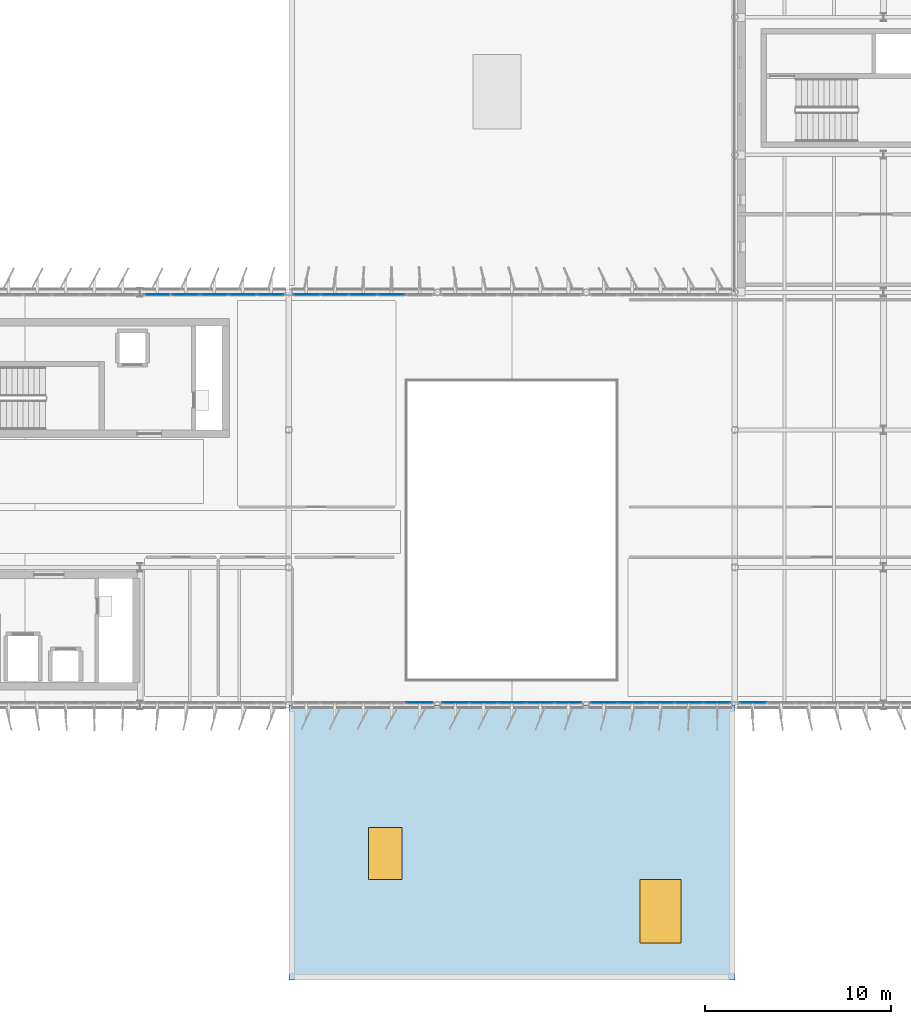
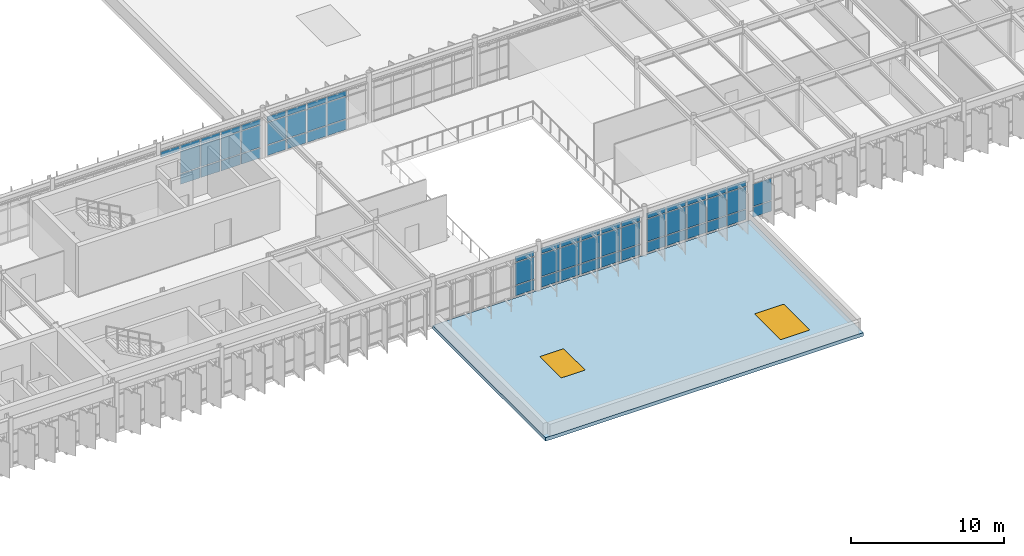
# One storey, part 31 of 56: 60 plates, 2 windows, 1 slab, 2 openings, 6 elements without a shape of their own.
"""IFC4 building model written with IfcOpenShell, lengths in metres."""

from ifc_helpers import new_model, si_unit, direction, frame, origin, origin_2d, place, context, subcontext, project, spatial, polyline, rectangle, outline, extrude, material, layer, layer_set, type_object, element, fill, aggregate, save


model = new_model("IFC4")

# Units and contexts
model_context = context("Model", 3, precision=1e-05, world=origin(), true_north=direction((0.0, 1.0)))
body_context = subcontext(model_context, "Body", "Model", "MODEL_VIEW")
ifc_project = project(units=[si_unit("LENGTHUNIT", "METRE"), si_unit("AREAUNIT", "SQUARE_METRE"), si_unit("VOLUMEUNIT", "CUBIC_METRE"), si_unit("PLANEANGLEUNIT", "RADIAN"), si_unit("MASSUNIT", "GRAM", prefix="KILO")], contexts=[model_context])

# Site, building, storey
site_placement = place(None, origin())
site = spatial("IfcSite", under=ifc_project, at=site_placement, CompositionType="ELEMENT")
building_placement = place(site_placement, origin())
building = spatial("IfcBuilding", under=site, at=building_placement, Name="Valkorina Park Police Headquarters", CompositionType="ELEMENT")
storey_placement = place(building_placement, frame((0.0, 0.0, 14.10009765625)))
storey = spatial("IfcBuildingStorey", under=building, at=storey_placement, Name="L04", CompositionType="ELEMENT", Elevation=14.10009765625)

# Curtain wall, plates
ifc_material_1 = material(Name="Thermally broken aluminium AW-6060", Category="aluminium")
ifc_layer_1 = layer(ifc_material_1, 0.18994140625)
ifc_layer_set_1 = layer_set([ifc_layer_1], Name="Thermally broken aluminium AW-6060")
curtain_wall_type_1 = type_object("IfcCurtainWallType", Name="CW-V5-7650x3260", PredefinedType="NOTDEFINED", material=ifc_layer_set_1)
curtain_wall_1_placement = place(storey_placement, origin())
curtain_wall_1 = element("IfcCurtainWall", 1, at=curtain_wall_1_placement, inside=storey, type_object=curtain_wall_type_1, Name="L04 Unitised Curtain Wall 036", PredefinedType="NOTDEFINED")
ifc_layer_2 = layer(ifc_material_1, 0.050048828125)
ifc_layer_set_2 = layer_set([ifc_layer_2], Name="Thermally broken aluminium AW-6060")
plate_type_1 = type_object("IfcPlateType", Name="PL-CWP-SPANDREL-50", PredefinedType="CURTAIN_PANEL", material=ifc_layer_set_2)
plate_1_placement = place(storey_placement, frame((51.255615234375, 59.080078125, 0.06982421875), z_axis=(0.0, 0.0, 1.0), x_axis=(1.0, 0.0, 0.0)))
plate_1 = element("IfcPlate", 2, at=plate_1_placement, type_object=plate_type_1, Name="CW-V5-765-326 panel 2.1", PredefinedType="CURTAIN_PANEL", context=body_context, shape_type="SweptSolid", body=[
    extrude(rectangle(XDim=1.46044921875, YDim=0.028076171875, at=origin_2d()), origin(), (0.0, 0.0, 1.0), 0.794921875),
])
plate_2_placement = place(storey_placement, frame((52.7861328125, 59.080078125, 0.06982421875), z_axis=(0.0, 0.0, 1.0), x_axis=(1.0, 0.0, 0.0)))
plate_2 = element("IfcPlate", 3, at=plate_2_placement, type_object=plate_type_1, Name="CW-V5-765-326 panel 3.1", PredefinedType="CURTAIN_PANEL", context=body_context, shape_type="SweptSolid", body=[
    extrude(rectangle(XDim=1.46044921875, YDim=0.028076171875, at=origin_2d()), origin(), (0.0, 0.0, 1.0), 0.794921875),
])
plate_3_placement = place(storey_placement, frame((54.316650390625, 59.080078125, 0.06982421875), z_axis=(0.0, 0.0, 1.0), x_axis=(1.0, 0.0, 0.0)))
plate_3 = element("IfcPlate", 4, at=plate_3_placement, type_object=plate_type_1, Name="CW-V5-765-326 panel 4.1", PredefinedType="CURTAIN_PANEL", context=body_context, shape_type="SweptSolid", body=[
    extrude(rectangle(XDim=1.46044921875, YDim=0.028076171875, at=origin_2d()), origin(), (0.0, 0.0, 1.0), 0.794921875),
])
plate_4_placement = place(storey_placement, frame((55.82958984375, 59.080078125, 0.06982421875), z_axis=(0.0, 0.0, 1.0), x_axis=(1.0, 0.0, 0.0)))
plate_4 = element("IfcPlate", 5, at=plate_4_placement, type_object=plate_type_1, Name="CW-V5-765-326 panel 5.1", PredefinedType="CURTAIN_PANEL", context=body_context, shape_type="SweptSolid", body=[
    extrude(rectangle(XDim=1.425537109375, YDim=0.028076171875, at=origin_2d()), origin(), (0.0, 0.0, 1.0), 0.794921875),
])

ifc_layer_3 = layer(ifc_material_1, 0.18994140625)
ifc_layer_set_3 = layer_set([ifc_layer_3], Name="Thermally broken aluminium AW-6060")
curtain_wall_type_2 = type_object("IfcCurtainWallType", Name="CW-V5-7620x3260", PredefinedType="NOTDEFINED", material=ifc_layer_set_3)
curtain_wall_2_placement = place(storey_placement, origin())
curtain_wall_2 = element("IfcCurtainWall", 6, at=curtain_wall_2_placement, inside=storey, type_object=curtain_wall_type_2, Name="L04 Unitised Curtain Wall 037", PredefinedType="NOTDEFINED")
plate_5_placement = place(storey_placement, frame((57.767822265625, 59.080078125, 0.06982421875), z_axis=(0.0, 0.0, 1.0), x_axis=(1.0, 0.0, 0.0)))
plate_5 = element("IfcPlate", 7, at=plate_5_placement, type_object=plate_type_1, Name="CW-V5-762-326 panel 1.1", PredefinedType="CURTAIN_PANEL", context=body_context, shape_type="SweptSolid", body=[
    extrude(rectangle(XDim=1.419921875, YDim=0.028076171875, at=origin_2d()), origin(), (0.0, 0.0, 1.0), 0.794921875),
])
plate_6_placement = place(storey_placement, frame((59.275146484375, 59.080078125, 0.06982421875), z_axis=(0.0, 0.0, 1.0), x_axis=(1.0, 0.0, 0.0)))
plate_6 = element("IfcPlate", 8, at=plate_6_placement, type_object=plate_type_1, Name="CW-V5-762-326 panel 2.1", PredefinedType="CURTAIN_PANEL", context=body_context, shape_type="SweptSolid", body=[
    extrude(rectangle(XDim=1.454833984375, YDim=0.028076171875, at=origin_2d()), origin(), (0.0, 0.0, 1.0), 0.794921875),
])
plate_7_placement = place(storey_placement, frame((60.800048828125, 59.080078125, 0.06982421875), z_axis=(0.0, 0.0, 1.0), x_axis=(1.0, 0.0, 0.0)))
plate_7 = element("IfcPlate", 9, at=plate_7_placement, type_object=plate_type_1, Name="CW-V5-762-326 panel 3.1", PredefinedType="CURTAIN_PANEL", context=body_context, shape_type="SweptSolid", body=[
    extrude(rectangle(XDim=1.454833984375, YDim=0.028076171875, at=origin_2d()), origin(), (0.0, 0.0, 1.0), 0.794921875),
])
plate_8_placement = place(storey_placement, frame((62.324951171875, 59.080078125, 0.06982421875), z_axis=(0.0, 0.0, 1.0), x_axis=(1.0, 0.0, 0.0)))
plate_8 = element("IfcPlate", 10, at=plate_8_placement, type_object=plate_type_1, Name="CW-V5-762-326 panel 4.1", PredefinedType="CURTAIN_PANEL", context=body_context, shape_type="SweptSolid", body=[
    extrude(rectangle(XDim=1.454833984375, YDim=0.028076171875, at=origin_2d()), origin(), (0.0, 0.0, 1.0), 0.794921875),
])

# Curtain wall, plate
curtain_wall_3_placement = place(storey_placement, origin())
curtain_wall_3 = element("IfcCurtainWall", 11, at=curtain_wall_3_placement, inside=storey, type_object=curtain_wall_type_1, Name="L04 Unitised Curtain Wall 047", PredefinedType="NOTDEFINED")
plate_9_placement = place(storey_placement, frame((81.7705078125, 37.1201171875, 0.06982421875), z_axis=(0.0, 0.0, 1.0), x_axis=(-1.0, 0.0, 0.0)))
plate_9 = element("IfcPlate", 12, at=plate_9_placement, type_object=plate_type_1, Name="CW-V5-765-326 panel 5.1", PredefinedType="CURTAIN_PANEL", context=body_context, shape_type="SweptSolid", body=[
    extrude(rectangle(XDim=1.425537109375, YDim=0.028076171875, at=origin_2d()), origin(), (0.0, 0.0, 1.0), 0.794921875),
])

# Curtain wall, plates
curtain_wall_4_placement = place(storey_placement, origin())
curtain_wall_4 = element("IfcCurtainWall", 13, at=curtain_wall_4_placement, inside=storey, type_object=curtain_wall_type_2, Name="L04 Unitised Curtain Wall 048", PredefinedType="NOTDEFINED")
plate_10_placement = place(storey_placement, frame((79.832275390625, 37.1201171875, 0.06982421875), z_axis=(0.0, 0.0, 1.0), x_axis=(-1.0, 0.0, 0.0)))
plate_10 = element("IfcPlate", 14, at=plate_10_placement, type_object=plate_type_1, Name="CW-V5-762-326 panel 1.1", PredefinedType="CURTAIN_PANEL", context=body_context, shape_type="SweptSolid", body=[
    extrude(rectangle(XDim=1.419921875, YDim=0.028076171875, at=origin_2d()), origin(), (0.0, 0.0, 1.0), 0.794921875),
])
plate_11_placement = place(storey_placement, frame((78.324951171875, 37.1201171875, 0.06982421875), z_axis=(0.0, 0.0, 1.0), x_axis=(-1.0, 0.0, 0.0)))
plate_11 = element("IfcPlate", 15, at=plate_11_placement, type_object=plate_type_1, Name="CW-V5-762-326 panel 2.1", PredefinedType="CURTAIN_PANEL", context=body_context, shape_type="SweptSolid", body=[
    extrude(rectangle(XDim=1.454833984375, YDim=0.028076171875, at=origin_2d()), origin(), (0.0, 0.0, 1.0), 0.794921875),
])
plate_12_placement = place(storey_placement, frame((76.800048828125, 37.1201171875, 0.06982421875), z_axis=(0.0, 0.0, 1.0), x_axis=(-1.0, 0.0, 0.0)))
plate_12 = element("IfcPlate", 16, at=plate_12_placement, type_object=plate_type_1, Name="CW-V5-762-326 panel 3.1", PredefinedType="CURTAIN_PANEL", context=body_context, shape_type="SweptSolid", body=[
    extrude(rectangle(XDim=1.454833984375, YDim=0.028076171875, at=origin_2d()), origin(), (0.0, 0.0, 1.0), 0.794921875),
])
plate_13_placement = place(storey_placement, frame((75.275146484375, 37.1201171875, 0.06982421875), z_axis=(0.0, 0.0, 1.0), x_axis=(-1.0, 0.0, 0.0)))
plate_13 = element("IfcPlate", 17, at=plate_13_placement, type_object=plate_type_1, Name="CW-V5-762-326 panel 4.1", PredefinedType="CURTAIN_PANEL", context=body_context, shape_type="SweptSolid", body=[
    extrude(rectangle(XDim=1.454833984375, YDim=0.028076171875, at=origin_2d()), origin(), (0.0, 0.0, 1.0), 0.794921875),
])
plate_14_placement = place(storey_placement, frame((73.767822265625, 37.1201171875, 0.06982421875), z_axis=(0.0, 0.0, 1.0), x_axis=(-1.0, 0.0, 0.0)))
plate_14 = element("IfcPlate", 18, at=plate_14_placement, type_object=plate_type_1, Name="CW-V5-762-326 panel 5.1", PredefinedType="CURTAIN_PANEL", context=body_context, shape_type="SweptSolid", body=[
    extrude(rectangle(XDim=1.419921875, YDim=0.028076171875, at=origin_2d()), origin(), (0.0, 0.0, 1.0), 0.794921875),
])

curtain_wall_5_placement = place(storey_placement, origin())
curtain_wall_5 = element("IfcCurtainWall", 19, at=curtain_wall_5_placement, inside=storey, type_object=curtain_wall_type_2, Name="L04 Unitised Curtain Wall 049", PredefinedType="NOTDEFINED")
plate_15_placement = place(storey_placement, frame((71.832275390625, 37.1201171875, 0.06982421875), z_axis=(0.0, 0.0, 1.0), x_axis=(-1.0, 0.0, 0.0)))
plate_15 = element("IfcPlate", 20, at=plate_15_placement, type_object=plate_type_1, Name="CW-V5-762-326 panel 1.1", PredefinedType="CURTAIN_PANEL", context=body_context, shape_type="SweptSolid", body=[
    extrude(rectangle(XDim=1.419921875, YDim=0.028076171875, at=origin_2d()), origin(), (0.0, 0.0, 1.0), 0.794921875),
])
plate_16_placement = place(storey_placement, frame((70.324951171875, 37.1201171875, 0.06982421875), z_axis=(0.0, 0.0, 1.0), x_axis=(-1.0, 0.0, 0.0)))
plate_16 = element("IfcPlate", 21, at=plate_16_placement, type_object=plate_type_1, Name="CW-V5-762-326 panel 2.1", PredefinedType="CURTAIN_PANEL", context=body_context, shape_type="SweptSolid", body=[
    extrude(rectangle(XDim=1.454833984375, YDim=0.028076171875, at=origin_2d()), origin(), (0.0, 0.0, 1.0), 0.794921875),
])
plate_17_placement = place(storey_placement, frame((68.800048828125, 37.1201171875, 0.06982421875), z_axis=(0.0, 0.0, 1.0), x_axis=(-1.0, 0.0, 0.0)))
plate_17 = element("IfcPlate", 22, at=plate_17_placement, type_object=plate_type_1, Name="CW-V5-762-326 panel 3.1", PredefinedType="CURTAIN_PANEL", context=body_context, shape_type="SweptSolid", body=[
    extrude(rectangle(XDim=1.454833984375, YDim=0.028076171875, at=origin_2d()), origin(), (0.0, 0.0, 1.0), 0.794921875),
])
plate_18_placement = place(storey_placement, frame((67.275146484375, 37.1201171875, 0.06982421875), z_axis=(0.0, 0.0, 1.0), x_axis=(-1.0, 0.0, 0.0)))
plate_18 = element("IfcPlate", 23, at=plate_18_placement, type_object=plate_type_1, Name="CW-V5-762-326 panel 4.1", PredefinedType="CURTAIN_PANEL", context=body_context, shape_type="SweptSolid", body=[
    extrude(rectangle(XDim=1.454833984375, YDim=0.028076171875, at=origin_2d()), origin(), (0.0, 0.0, 1.0), 0.794921875),
])
plate_19_placement = place(storey_placement, frame((65.767822265625, 37.1201171875, 0.06982421875), z_axis=(0.0, 0.0, 1.0), x_axis=(-1.0, 0.0, 0.0)))
plate_19 = element("IfcPlate", 24, at=plate_19_placement, type_object=plate_type_1, Name="CW-V5-762-326 panel 5.1", PredefinedType="CURTAIN_PANEL", context=body_context, shape_type="SweptSolid", body=[
    extrude(rectangle(XDim=1.419921875, YDim=0.028076171875, at=origin_2d()), origin(), (0.0, 0.0, 1.0), 0.794921875),
])

# Curtain wall, plate
curtain_wall_6_placement = place(storey_placement, origin())
curtain_wall_6 = element("IfcCurtainWall", 25, at=curtain_wall_6_placement, inside=storey, type_object=curtain_wall_type_2, Name="L04 Unitised Curtain Wall 050", PredefinedType="NOTDEFINED")
plate_20_placement = place(storey_placement, frame((63.832275390625, 37.1201171875, 0.06982421875), z_axis=(0.0, 0.0, 1.0), x_axis=(-1.0, 0.0, 0.0)))
plate_20 = element("IfcPlate", 26, at=plate_20_placement, type_object=plate_type_1, Name="CW-V5-762-326 panel 1.1", PredefinedType="CURTAIN_PANEL", context=body_context, shape_type="SweptSolid", body=[
    extrude(rectangle(XDim=1.419921875, YDim=0.028076171875, at=origin_2d()), origin(), (0.0, 0.0, 1.0), 0.794921875),
])

# Plate
ifc_material_2 = material(Name="Triple low-E insulated glazing", Category="glass")
ifc_layer_4 = layer(ifc_material_2, 0.028076171875)
ifc_layer_set_4 = layer_set([ifc_layer_4], Name="Triple low-E insulated glazing")
plate_type_2 = type_object("IfcPlateType", Name="PL-CWP-VISION-28", PredefinedType="CURTAIN_PANEL", material=ifc_layer_set_4)
plate_21_placement = place(storey_placement, frame((49.74267578125, 59.080078125, 2.769775390625), z_axis=(0.0, 0.0, 1.0), x_axis=(1.0, 0.0, 0.0)))
plate_21 = element("IfcPlate", 27, at=plate_21_placement, type_object=plate_type_2, Name="CW-V5-765-326 panel 1.3", PredefinedType="CURTAIN_PANEL", context=body_context, shape_type="SweptSolid", body=[
    extrude(rectangle(XDim=1.425537109375, YDim=0.028076171875, at=origin_2d()), origin(), (0.0, 0.0, 1.0), 0.4150390625),
])

plate_22_placement = place(storey_placement, frame((51.255615234375, 59.080078125, 0.93505859375), z_axis=(0.0, 0.0, 1.0), x_axis=(1.0, 0.0, 0.0)))
plate_22 = element("IfcPlate", 28, at=plate_22_placement, type_object=plate_type_2, Name="CW-V5-765-326 panel 2.2", PredefinedType="CURTAIN_PANEL", context=body_context, shape_type="SweptSolid", body=[
    extrude(rectangle(XDim=1.46044921875, YDim=0.028076171875, at=origin_2d()), origin(), (0.0, 0.0, 1.0), 1.764892578125),
])

plate_23_placement = place(storey_placement, frame((51.255615234375, 59.080078125, 2.769775390625), z_axis=(0.0, 0.0, 1.0), x_axis=(1.0, 0.0, 0.0)))
plate_23 = element("IfcPlate", 29, at=plate_23_placement, type_object=plate_type_2, Name="CW-V5-765-326 panel 2.3", PredefinedType="CURTAIN_PANEL", context=body_context, shape_type="SweptSolid", body=[
    extrude(rectangle(XDim=1.46044921875, YDim=0.028076171875, at=origin_2d()), origin(), (0.0, 0.0, 1.0), 0.4150390625),
])

plate_24_placement = place(storey_placement, frame((52.7861328125, 59.080078125, 0.93505859375), z_axis=(0.0, 0.0, 1.0), x_axis=(1.0, 0.0, 0.0)))
plate_24 = element("IfcPlate", 30, at=plate_24_placement, type_object=plate_type_2, Name="CW-V5-765-326 panel 3.2", PredefinedType="CURTAIN_PANEL", context=body_context, shape_type="SweptSolid", body=[
    extrude(rectangle(XDim=1.46044921875, YDim=0.028076171875, at=origin_2d()), origin(), (0.0, 0.0, 1.0), 1.764892578125),
])

plate_25_placement = place(storey_placement, frame((52.7861328125, 59.080078125, 2.769775390625), z_axis=(0.0, 0.0, 1.0), x_axis=(1.0, 0.0, 0.0)))
plate_25 = element("IfcPlate", 31, at=plate_25_placement, type_object=plate_type_2, Name="CW-V5-765-326 panel 3.3", PredefinedType="CURTAIN_PANEL", context=body_context, shape_type="SweptSolid", body=[
    extrude(rectangle(XDim=1.46044921875, YDim=0.028076171875, at=origin_2d()), origin(), (0.0, 0.0, 1.0), 0.4150390625),
])

plate_26_placement = place(storey_placement, frame((54.316650390625, 59.080078125, 0.93505859375), z_axis=(0.0, 0.0, 1.0), x_axis=(1.0, 0.0, 0.0)))
plate_26 = element("IfcPlate", 32, at=plate_26_placement, type_object=plate_type_2, Name="CW-V5-765-326 panel 4.2", PredefinedType="CURTAIN_PANEL", context=body_context, shape_type="SweptSolid", body=[
    extrude(rectangle(XDim=1.46044921875, YDim=0.028076171875, at=origin_2d()), origin(), (0.0, 0.0, 1.0), 1.764892578125),
])

plate_27_placement = place(storey_placement, frame((54.316650390625, 59.080078125, 2.769775390625), z_axis=(0.0, 0.0, 1.0), x_axis=(1.0, 0.0, 0.0)))
plate_27 = element("IfcPlate", 33, at=plate_27_placement, type_object=plate_type_2, Name="CW-V5-765-326 panel 4.3", PredefinedType="CURTAIN_PANEL", context=body_context, shape_type="SweptSolid", body=[
    extrude(rectangle(XDim=1.46044921875, YDim=0.028076171875, at=origin_2d()), origin(), (0.0, 0.0, 1.0), 0.4150390625),
])

plate_28_placement = place(storey_placement, frame((55.82958984375, 59.080078125, 0.93505859375), z_axis=(0.0, 0.0, 1.0), x_axis=(1.0, 0.0, 0.0)))
plate_28 = element("IfcPlate", 34, at=plate_28_placement, type_object=plate_type_2, Name="CW-V5-765-326 panel 5.2", PredefinedType="CURTAIN_PANEL", context=body_context, shape_type="SweptSolid", body=[
    extrude(rectangle(XDim=1.425537109375, YDim=0.028076171875, at=origin_2d()), origin(), (0.0, 0.0, 1.0), 1.764892578125),
])

plate_29_placement = place(storey_placement, frame((55.82958984375, 59.080078125, 2.769775390625), z_axis=(0.0, 0.0, 1.0), x_axis=(1.0, 0.0, 0.0)))
plate_29 = element("IfcPlate", 35, at=plate_29_placement, type_object=plate_type_2, Name="CW-V5-765-326 panel 5.3", PredefinedType="CURTAIN_PANEL", context=body_context, shape_type="SweptSolid", body=[
    extrude(rectangle(XDim=1.425537109375, YDim=0.028076171875, at=origin_2d()), origin(), (0.0, 0.0, 1.0), 0.4150390625),
])

aggregate(curtain_wall_1, [plate_21, plate_1, plate_22, plate_23, plate_2, plate_24, plate_25, plate_3, plate_26, plate_27, plate_4, plate_28, plate_29])

plate_30_placement = place(storey_placement, frame((57.767822265625, 59.080078125, 0.93505859375), z_axis=(0.0, 0.0, 1.0), x_axis=(1.0, 0.0, 0.0)))
plate_30 = element("IfcPlate", 36, at=plate_30_placement, type_object=plate_type_2, Name="CW-V5-762-326 panel 1.2", PredefinedType="CURTAIN_PANEL", context=body_context, shape_type="SweptSolid", body=[
    extrude(rectangle(XDim=1.419921875, YDim=0.028076171875, at=origin_2d()), origin(), (0.0, 0.0, 1.0), 1.764892578125),
])

plate_31_placement = place(storey_placement, frame((57.767822265625, 59.080078125, 2.769775390625), z_axis=(0.0, 0.0, 1.0), x_axis=(1.0, 0.0, 0.0)))
plate_31 = element("IfcPlate", 37, at=plate_31_placement, type_object=plate_type_2, Name="CW-V5-762-326 panel 1.3", PredefinedType="CURTAIN_PANEL", context=body_context, shape_type="SweptSolid", body=[
    extrude(rectangle(XDim=1.419921875, YDim=0.028076171875, at=origin_2d()), origin(), (0.0, 0.0, 1.0), 0.4150390625),
])

plate_32_placement = place(storey_placement, frame((59.275146484375, 59.080078125, 0.93505859375), z_axis=(0.0, 0.0, 1.0), x_axis=(1.0, 0.0, 0.0)))
plate_32 = element("IfcPlate", 38, at=plate_32_placement, type_object=plate_type_2, Name="CW-V5-762-326 panel 2.2", PredefinedType="CURTAIN_PANEL", context=body_context, shape_type="SweptSolid", body=[
    extrude(rectangle(XDim=1.454833984375, YDim=0.028076171875, at=origin_2d()), origin(), (0.0, 0.0, 1.0), 1.764892578125),
])

plate_33_placement = place(storey_placement, frame((59.275146484375, 59.080078125, 2.769775390625), z_axis=(0.0, 0.0, 1.0), x_axis=(1.0, 0.0, 0.0)))
plate_33 = element("IfcPlate", 39, at=plate_33_placement, type_object=plate_type_2, Name="CW-V5-762-326 panel 2.3", PredefinedType="CURTAIN_PANEL", context=body_context, shape_type="SweptSolid", body=[
    extrude(rectangle(XDim=1.454833984375, YDim=0.028076171875, at=origin_2d()), origin(), (0.0, 0.0, 1.0), 0.4150390625),
])

plate_34_placement = place(storey_placement, frame((60.800048828125, 59.080078125, 0.93505859375), z_axis=(0.0, 0.0, 1.0), x_axis=(1.0, 0.0, 0.0)))
plate_34 = element("IfcPlate", 40, at=plate_34_placement, type_object=plate_type_2, Name="CW-V5-762-326 panel 3.2", PredefinedType="CURTAIN_PANEL", context=body_context, shape_type="SweptSolid", body=[
    extrude(rectangle(XDim=1.454833984375, YDim=0.028076171875, at=origin_2d()), origin(), (0.0, 0.0, 1.0), 1.764892578125),
])

plate_35_placement = place(storey_placement, frame((60.800048828125, 59.080078125, 2.769775390625), z_axis=(0.0, 0.0, 1.0), x_axis=(1.0, 0.0, 0.0)))
plate_35 = element("IfcPlate", 41, at=plate_35_placement, type_object=plate_type_2, Name="CW-V5-762-326 panel 3.3", PredefinedType="CURTAIN_PANEL", context=body_context, shape_type="SweptSolid", body=[
    extrude(rectangle(XDim=1.454833984375, YDim=0.028076171875, at=origin_2d()), origin(), (0.0, 0.0, 1.0), 0.4150390625),
])

plate_36_placement = place(storey_placement, frame((62.324951171875, 59.080078125, 0.93505859375), z_axis=(0.0, 0.0, 1.0), x_axis=(1.0, 0.0, 0.0)))
plate_36 = element("IfcPlate", 42, at=plate_36_placement, type_object=plate_type_2, Name="CW-V5-762-326 panel 4.2", PredefinedType="CURTAIN_PANEL", context=body_context, shape_type="SweptSolid", body=[
    extrude(rectangle(XDim=1.454833984375, YDim=0.028076171875, at=origin_2d()), origin(), (0.0, 0.0, 1.0), 1.764892578125),
])

plate_37_placement = place(storey_placement, frame((62.324951171875, 59.080078125, 2.769775390625), z_axis=(0.0, 0.0, 1.0), x_axis=(1.0, 0.0, 0.0)))
plate_37 = element("IfcPlate", 43, at=plate_37_placement, type_object=plate_type_2, Name="CW-V5-762-326 panel 4.3", PredefinedType="CURTAIN_PANEL", context=body_context, shape_type="SweptSolid", body=[
    extrude(rectangle(XDim=1.454833984375, YDim=0.028076171875, at=origin_2d()), origin(), (0.0, 0.0, 1.0), 0.4150390625),
])

aggregate(curtain_wall_2, [plate_5, plate_30, plate_31, plate_6, plate_32, plate_33, plate_7, plate_34, plate_35, plate_8, plate_36, plate_37])

plate_38_placement = place(storey_placement, frame((81.7705078125, 37.1201171875, 0.93505859375), z_axis=(0.0, 0.0, 1.0), x_axis=(-1.0, 0.0, 0.0)))
plate_38 = element("IfcPlate", 44, at=plate_38_placement, type_object=plate_type_2, Name="CW-V5-765-326 panel 5.2", PredefinedType="CURTAIN_PANEL", context=body_context, shape_type="SweptSolid", body=[
    extrude(rectangle(XDim=1.425537109375, YDim=0.028076171875, at=origin_2d()), origin(), (0.0, 0.0, 1.0), 1.764892578125),
])

aggregate(curtain_wall_3, [plate_9, plate_38])

plate_39_placement = place(storey_placement, frame((79.832275390625, 37.1201171875, 0.93505859375), z_axis=(0.0, 0.0, 1.0), x_axis=(-1.0, 0.0, 0.0)))
plate_39 = element("IfcPlate", 45, at=plate_39_placement, type_object=plate_type_2, Name="CW-V5-762-326 panel 1.2", PredefinedType="CURTAIN_PANEL", context=body_context, shape_type="SweptSolid", body=[
    extrude(rectangle(XDim=1.419921875, YDim=0.028076171875, at=origin_2d()), origin(), (0.0, 0.0, 1.0), 1.764892578125),
])

plate_40_placement = place(storey_placement, frame((79.832275390625, 37.1201171875, 2.769775390625), z_axis=(0.0, 0.0, 1.0), x_axis=(-1.0, 0.0, 0.0)))
plate_40 = element("IfcPlate", 46, at=plate_40_placement, type_object=plate_type_2, Name="CW-V5-762-326 panel 1.3", PredefinedType="CURTAIN_PANEL", context=body_context, shape_type="SweptSolid", body=[
    extrude(rectangle(XDim=1.419921875, YDim=0.028076171875, at=origin_2d()), origin(), (0.0, 0.0, 1.0), 0.4150390625),
])

plate_41_placement = place(storey_placement, frame((78.324951171875, 37.1201171875, 0.93505859375), z_axis=(0.0, 0.0, 1.0), x_axis=(-1.0, 0.0, 0.0)))
plate_41 = element("IfcPlate", 47, at=plate_41_placement, type_object=plate_type_2, Name="CW-V5-762-326 panel 2.2", PredefinedType="CURTAIN_PANEL", context=body_context, shape_type="SweptSolid", body=[
    extrude(rectangle(XDim=1.454833984375, YDim=0.028076171875, at=origin_2d()), origin(), (0.0, 0.0, 1.0), 1.764892578125),
])

plate_42_placement = place(storey_placement, frame((78.324951171875, 37.1201171875, 2.769775390625), z_axis=(0.0, 0.0, 1.0), x_axis=(-1.0, 0.0, 0.0)))
plate_42 = element("IfcPlate", 48, at=plate_42_placement, type_object=plate_type_2, Name="CW-V5-762-326 panel 2.3", PredefinedType="CURTAIN_PANEL", context=body_context, shape_type="SweptSolid", body=[
    extrude(rectangle(XDim=1.454833984375, YDim=0.028076171875, at=origin_2d()), origin(), (0.0, 0.0, 1.0), 0.4150390625),
])

plate_43_placement = place(storey_placement, frame((76.800048828125, 37.1201171875, 0.93505859375), z_axis=(0.0, 0.0, 1.0), x_axis=(-1.0, 0.0, 0.0)))
plate_43 = element("IfcPlate", 49, at=plate_43_placement, type_object=plate_type_2, Name="CW-V5-762-326 panel 3.2", PredefinedType="CURTAIN_PANEL", context=body_context, shape_type="SweptSolid", body=[
    extrude(rectangle(XDim=1.454833984375, YDim=0.028076171875, at=origin_2d()), origin(), (0.0, 0.0, 1.0), 1.764892578125),
])

plate_44_placement = place(storey_placement, frame((76.800048828125, 37.1201171875, 2.769775390625), z_axis=(0.0, 0.0, 1.0), x_axis=(-1.0, 0.0, 0.0)))
plate_44 = element("IfcPlate", 50, at=plate_44_placement, type_object=plate_type_2, Name="CW-V5-762-326 panel 3.3", PredefinedType="CURTAIN_PANEL", context=body_context, shape_type="SweptSolid", body=[
    extrude(rectangle(XDim=1.454833984375, YDim=0.028076171875, at=origin_2d()), origin(), (0.0, 0.0, 1.0), 0.4150390625),
])

plate_45_placement = place(storey_placement, frame((75.275146484375, 37.1201171875, 0.93505859375), z_axis=(0.0, 0.0, 1.0), x_axis=(-1.0, 0.0, 0.0)))
plate_45 = element("IfcPlate", 51, at=plate_45_placement, type_object=plate_type_2, Name="CW-V5-762-326 panel 4.2", PredefinedType="CURTAIN_PANEL", context=body_context, shape_type="SweptSolid", body=[
    extrude(rectangle(XDim=1.454833984375, YDim=0.028076171875, at=origin_2d()), origin(), (0.0, 0.0, 1.0), 1.764892578125),
])

plate_46_placement = place(storey_placement, frame((75.275146484375, 37.1201171875, 2.769775390625), z_axis=(0.0, 0.0, 1.0), x_axis=(-1.0, 0.0, 0.0)))
plate_46 = element("IfcPlate", 52, at=plate_46_placement, type_object=plate_type_2, Name="CW-V5-762-326 panel 4.3", PredefinedType="CURTAIN_PANEL", context=body_context, shape_type="SweptSolid", body=[
    extrude(rectangle(XDim=1.454833984375, YDim=0.028076171875, at=origin_2d()), origin(), (0.0, 0.0, 1.0), 0.4150390625),
])

plate_47_placement = place(storey_placement, frame((73.767822265625, 37.1201171875, 0.93505859375), z_axis=(0.0, 0.0, 1.0), x_axis=(-1.0, 0.0, 0.0)))
plate_47 = element("IfcPlate", 53, at=plate_47_placement, type_object=plate_type_2, Name="CW-V5-762-326 panel 5.2", PredefinedType="CURTAIN_PANEL", context=body_context, shape_type="SweptSolid", body=[
    extrude(rectangle(XDim=1.419921875, YDim=0.028076171875, at=origin_2d()), origin(), (0.0, 0.0, 1.0), 1.764892578125),
])

plate_48_placement = place(storey_placement, frame((73.767822265625, 37.1201171875, 2.769775390625), z_axis=(0.0, 0.0, 1.0), x_axis=(-1.0, 0.0, 0.0)))
plate_48 = element("IfcPlate", 54, at=plate_48_placement, type_object=plate_type_2, Name="CW-V5-762-326 panel 5.3", PredefinedType="CURTAIN_PANEL", context=body_context, shape_type="SweptSolid", body=[
    extrude(rectangle(XDim=1.419921875, YDim=0.028076171875, at=origin_2d()), origin(), (0.0, 0.0, 1.0), 0.4150390625),
])

aggregate(curtain_wall_4, [plate_10, plate_39, plate_40, plate_11, plate_41, plate_42, plate_12, plate_43, plate_44, plate_13, plate_45, plate_46, plate_14, plate_47, plate_48])

plate_49_placement = place(storey_placement, frame((71.832275390625, 37.1201171875, 0.93505859375), z_axis=(0.0, 0.0, 1.0), x_axis=(-1.0, 0.0, 0.0)))
plate_49 = element("IfcPlate", 55, at=plate_49_placement, type_object=plate_type_2, Name="CW-V5-762-326 panel 1.2", PredefinedType="CURTAIN_PANEL", context=body_context, shape_type="SweptSolid", body=[
    extrude(rectangle(XDim=1.419921875, YDim=0.028076171875, at=origin_2d()), origin(), (0.0, 0.0, 1.0), 1.764892578125),
])

plate_50_placement = place(storey_placement, frame((71.832275390625, 37.1201171875, 2.769775390625), z_axis=(0.0, 0.0, 1.0), x_axis=(-1.0, 0.0, 0.0)))
plate_50 = element("IfcPlate", 56, at=plate_50_placement, type_object=plate_type_2, Name="CW-V5-762-326 panel 1.3", PredefinedType="CURTAIN_PANEL", context=body_context, shape_type="SweptSolid", body=[
    extrude(rectangle(XDim=1.419921875, YDim=0.028076171875, at=origin_2d()), origin(), (0.0, 0.0, 1.0), 0.4150390625),
])

plate_51_placement = place(storey_placement, frame((70.324951171875, 37.1201171875, 0.93505859375), z_axis=(0.0, 0.0, 1.0), x_axis=(-1.0, 0.0, 0.0)))
plate_51 = element("IfcPlate", 57, at=plate_51_placement, type_object=plate_type_2, Name="CW-V5-762-326 panel 2.2", PredefinedType="CURTAIN_PANEL", context=body_context, shape_type="SweptSolid", body=[
    extrude(rectangle(XDim=1.454833984375, YDim=0.028076171875, at=origin_2d()), origin(), (0.0, 0.0, 1.0), 1.764892578125),
])

plate_52_placement = place(storey_placement, frame((70.324951171875, 37.1201171875, 2.769775390625), z_axis=(0.0, 0.0, 1.0), x_axis=(-1.0, 0.0, 0.0)))
plate_52 = element("IfcPlate", 58, at=plate_52_placement, type_object=plate_type_2, Name="CW-V5-762-326 panel 2.3", PredefinedType="CURTAIN_PANEL", context=body_context, shape_type="SweptSolid", body=[
    extrude(rectangle(XDim=1.454833984375, YDim=0.028076171875, at=origin_2d()), origin(), (0.0, 0.0, 1.0), 0.4150390625),
])

plate_53_placement = place(storey_placement, frame((68.800048828125, 37.1201171875, 0.93505859375), z_axis=(0.0, 0.0, 1.0), x_axis=(-1.0, 0.0, 0.0)))
plate_53 = element("IfcPlate", 59, at=plate_53_placement, type_object=plate_type_2, Name="CW-V5-762-326 panel 3.2", PredefinedType="CURTAIN_PANEL", context=body_context, shape_type="SweptSolid", body=[
    extrude(rectangle(XDim=1.454833984375, YDim=0.028076171875, at=origin_2d()), origin(), (0.0, 0.0, 1.0), 1.764892578125),
])

plate_54_placement = place(storey_placement, frame((68.800048828125, 37.1201171875, 2.769775390625), z_axis=(0.0, 0.0, 1.0), x_axis=(-1.0, 0.0, 0.0)))
plate_54 = element("IfcPlate", 60, at=plate_54_placement, type_object=plate_type_2, Name="CW-V5-762-326 panel 3.3", PredefinedType="CURTAIN_PANEL", context=body_context, shape_type="SweptSolid", body=[
    extrude(rectangle(XDim=1.454833984375, YDim=0.028076171875, at=origin_2d()), origin(), (0.0, 0.0, 1.0), 0.4150390625),
])

plate_55_placement = place(storey_placement, frame((67.275146484375, 37.1201171875, 0.93505859375), z_axis=(0.0, 0.0, 1.0), x_axis=(-1.0, 0.0, 0.0)))
plate_55 = element("IfcPlate", 61, at=plate_55_placement, type_object=plate_type_2, Name="CW-V5-762-326 panel 4.2", PredefinedType="CURTAIN_PANEL", context=body_context, shape_type="SweptSolid", body=[
    extrude(rectangle(XDim=1.454833984375, YDim=0.028076171875, at=origin_2d()), origin(), (0.0, 0.0, 1.0), 1.764892578125),
])

plate_56_placement = place(storey_placement, frame((67.275146484375, 37.1201171875, 2.769775390625), z_axis=(0.0, 0.0, 1.0), x_axis=(-1.0, 0.0, 0.0)))
plate_56 = element("IfcPlate", 62, at=plate_56_placement, type_object=plate_type_2, Name="CW-V5-762-326 panel 4.3", PredefinedType="CURTAIN_PANEL", context=body_context, shape_type="SweptSolid", body=[
    extrude(rectangle(XDim=1.454833984375, YDim=0.028076171875, at=origin_2d()), origin(), (0.0, 0.0, 1.0), 0.4150390625),
])

plate_57_placement = place(storey_placement, frame((65.767822265625, 37.1201171875, 0.93505859375), z_axis=(0.0, 0.0, 1.0), x_axis=(-1.0, 0.0, 0.0)))
plate_57 = element("IfcPlate", 63, at=plate_57_placement, type_object=plate_type_2, Name="CW-V5-762-326 panel 5.2", PredefinedType="CURTAIN_PANEL", context=body_context, shape_type="SweptSolid", body=[
    extrude(rectangle(XDim=1.419921875, YDim=0.028076171875, at=origin_2d()), origin(), (0.0, 0.0, 1.0), 1.764892578125),
])

plate_58_placement = place(storey_placement, frame((65.767822265625, 37.1201171875, 2.769775390625), z_axis=(0.0, 0.0, 1.0), x_axis=(-1.0, 0.0, 0.0)))
plate_58 = element("IfcPlate", 64, at=plate_58_placement, type_object=plate_type_2, Name="CW-V5-762-326 panel 5.3", PredefinedType="CURTAIN_PANEL", context=body_context, shape_type="SweptSolid", body=[
    extrude(rectangle(XDim=1.419921875, YDim=0.028076171875, at=origin_2d()), origin(), (0.0, 0.0, 1.0), 0.4150390625),
])

aggregate(curtain_wall_5, [plate_15, plate_49, plate_50, plate_16, plate_51, plate_52, plate_17, plate_53, plate_54, plate_18, plate_55, plate_56, plate_19, plate_57, plate_58])

plate_59_placement = place(storey_placement, frame((63.832275390625, 37.1201171875, 0.93505859375), z_axis=(0.0, 0.0, 1.0), x_axis=(-1.0, 0.0, 0.0)))
plate_59 = element("IfcPlate", 65, at=plate_59_placement, type_object=plate_type_2, Name="CW-V5-762-326 panel 1.2", PredefinedType="CURTAIN_PANEL", context=body_context, shape_type="SweptSolid", body=[
    extrude(rectangle(XDim=1.419921875, YDim=0.028076171875, at=origin_2d()), origin(), (0.0, 0.0, 1.0), 1.764892578125),
])

plate_60_placement = place(storey_placement, frame((63.832275390625, 37.1201171875, 2.769775390625), z_axis=(0.0, 0.0, 1.0), x_axis=(-1.0, 0.0, 0.0)))
plate_60 = element("IfcPlate", 66, at=plate_60_placement, type_object=plate_type_2, Name="CW-V5-762-326 panel 1.3", PredefinedType="CURTAIN_PANEL", context=body_context, shape_type="SweptSolid", body=[
    extrude(rectangle(XDim=1.419921875, YDim=0.028076171875, at=origin_2d()), origin(), (0.0, 0.0, 1.0), 0.4150390625),
])

aggregate(curtain_wall_6, [plate_20, plate_59, plate_60])

# Slab, openings, windows
ifc_material_3 = material(Name="Concrete C35/45", Category="concrete")
ifc_layer_5 = layer(ifc_material_3, 0.280029296875)
ifc_layer_set_5 = layer_set([ifc_layer_5], Name="Concrete C35/45")
slab_type = type_object("IfcSlabType", Name="SL-ROOF-FLAT-280", PredefinedType="ROOF", material=ifc_layer_set_5)
slab_placement = place(storey_placement, frame((0.0, 0.0, -0.280029296875)))
slab = element("IfcSlab", 67, at=slab_placement, inside=storey, type_object=slab_type, Name="L04 Flat Roof Deck SLAB-L04-ROOF-V4S", PredefinedType="ROOF", context=body_context, shape_type="SweptSolid", body=[
    extrude(outline(polyline([(80.800048828125, 22.199951171875), (80.800048828125, 37.0), (56.800048828125, 37.0), (56.800048828125, 22.199951171875), (80.800048828125, 22.199951171875)])), origin(), (0.0, 0.0, 1.0), 0.280029296875),
])
opening_1_placement = place(slab_placement, frame((62.0, 29.0, -0.010009765625)))
opening_1 = element("IfcOpeningElement", 68, at=opening_1_placement, cuts=slab, Name="Opening SK-01", PredefinedType="OPENING", context=body_context, shape_type="SweptSolid", body=[
    extrude(rectangle(XDim=1.800048828125, YDim=2.800048828125, at=origin_2d()), origin(), (0.0, 0.0, 1.0), 0.300048828125),
])
opening_2_placement = place(slab_placement, frame((76.800048828125, 25.89990234375, -0.010009765625)))
opening_2 = element("IfcOpeningElement", 69, at=opening_2_placement, cuts=slab, Name="Opening SK-02", PredefinedType="OPENING", context=body_context, shape_type="SweptSolid", body=[
    extrude(rectangle(XDim=2.199951171875, YDim=3.39990234375, at=origin_2d()), origin(), (0.0, 0.0, 1.0), 0.300048828125),
])
ifc_layer_6 = layer(ifc_material_2, 0.06005859375)
ifc_layer_set_6 = layer_set([ifc_layer_6], Name="Triple low-E insulated glazing")
window_type_1 = type_object("IfcWindowType", Name="SK-SAW-1800x2800", PartitioningType="SINGLE_PANEL", PredefinedType="SKYLIGHT", material=ifc_layer_set_6)
window_1_placement = place(slab_placement, frame((62.0, 29.0, 0.22998046875)))
window_1 = element("IfcWindow", 70, at=window_1_placement, inside=storey, type_object=window_type_1, Name="L04 Roof Skylight and Hatch 2", OverallHeight=2.800048828125, OverallWidth=1.800048828125, PartitioningType="SINGLE_PANEL", PredefinedType="SKYLIGHT", context=body_context, shape_type="SweptSolid", body=[
    extrude(rectangle(XDim=1.800048828125, YDim=2.800048828125, at=origin_2d()), origin(), (0.0, 0.0, 1.0), 0.050048828125),
])
fill(opening_1, window_1)
ifc_layer_7 = layer(ifc_material_2, 0.06005859375)
ifc_layer_set_7 = layer_set([ifc_layer_7], Name="Triple low-E insulated glazing")
window_type_2 = type_object("IfcWindowType", Name="SK-SAW-2200x3400", PartitioningType="SINGLE_PANEL", PredefinedType="SKYLIGHT", material=ifc_layer_set_7)
window_2_placement = place(slab_placement, frame((76.800048828125, 25.89990234375, 0.22998046875)))
window_2 = element("IfcWindow", 71, at=window_2_placement, inside=storey, type_object=window_type_2, Name="L04 Roof Skylight and Hatch 3", OverallHeight=3.39990234375, OverallWidth=2.199951171875, PartitioningType="SINGLE_PANEL", PredefinedType="SKYLIGHT", context=body_context, shape_type="SweptSolid", body=[
    extrude(rectangle(XDim=2.199951171875, YDim=3.39990234375, at=origin_2d()), origin(), (0.0, 0.0, 1.0), 0.050048828125),
])
fill(opening_2, window_2)

save(model, "model.ifc")
